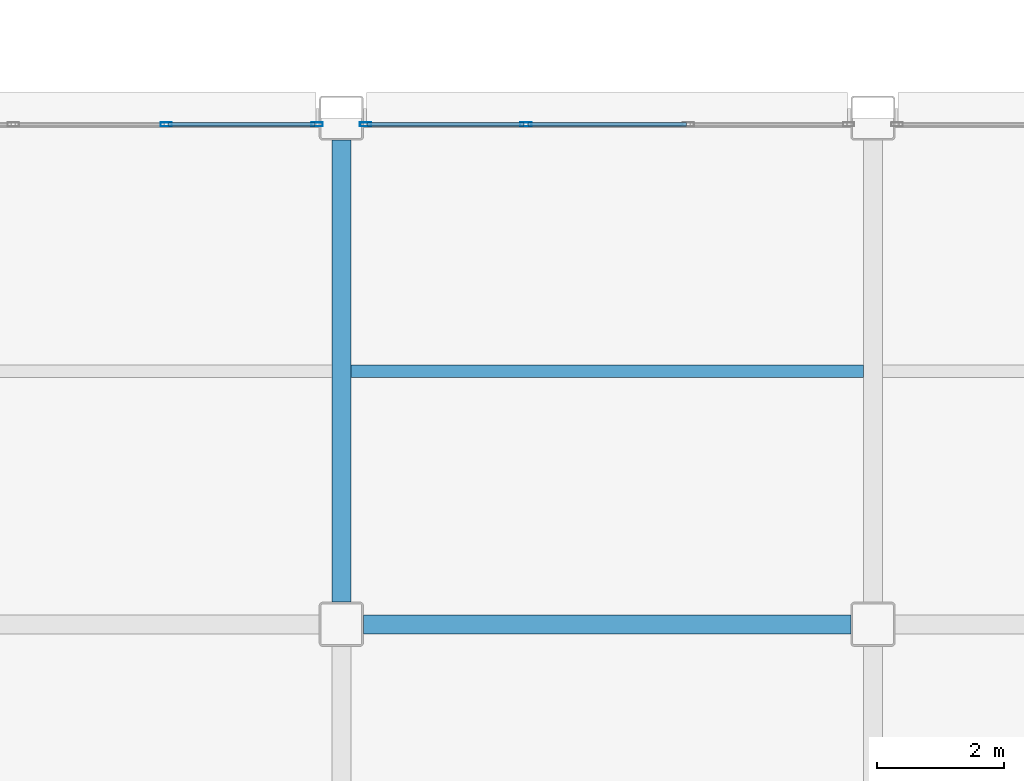
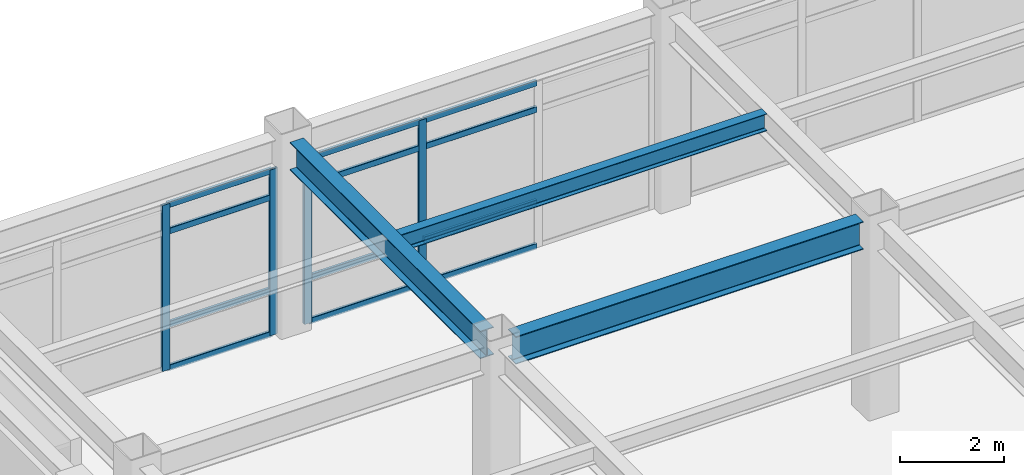
# One storey, part 49 of 154: 16 members, 3 beams, 2 elements without a shape of their own.
"""IFC4 building model written with IfcOpenShell, lengths in metres."""

import ifcopenshell
import ifcopenshell.guid

model = None  # the IFC model being written
_history = None  # IfcOwnerHistory: only IFC2X3 demands one
_inside = {}  # id of a spatial element -> (the spatial element, [elements in it])
_under = {}  # id of a project, library or spatial element -> (it, [spatial elements below it])
_declared = {}  # id of a project -> (the project, [libraries it declares])
_typed = {}  # id of a type object -> (the type object, [elements of that type])
_made_of = {}  # id of a material, layer set ... -> (it, [elements and type objects made of it])


def new_model(schema):
    """Start an empty IFC model of exactly this schema.

    Asked for "IFC4X3", IfcOpenShell would pick the latest addendum, in which some entities
    have other attributes; the version numbers below select the first issue.
    IFC2X3 requires an IfcOwnerHistory on every rooted entity: one is made here for all.
    """
    global model, _history
    if schema == "IFC4X3":
        model = ifcopenshell.file(schema_version=(4, 3, 0, 0))
    else:
        model = ifcopenshell.file(schema=schema)
    _inside.clear()
    _under.clear()
    _declared.clear()
    _typed.clear()
    _made_of.clear()
    _history = None
    if model.schema == "IFC2X3":
        org = make("IfcOrganization", Name="unknown")
        user = make(
            "IfcPersonAndOrganization",
            ThePerson=make("IfcPerson", FamilyName="unknown"),
            TheOrganization=org,
        )
        app = make(
            "IfcApplication",
            ApplicationDeveloper=org,
            Version="unknown",
            ApplicationFullName="unknown",
            ApplicationIdentifier="unknown",
        )
        _history = make(
            "IfcOwnerHistory",
            OwningUser=user,
            OwningApplication=app,
            ChangeAction="ADDED",
            CreationDate=0,
        )
    return model


def make(cls, **values):
    """One entity of the class cls with the attributes given. An attribute that is None is left unset."""
    return model.create_entity(
        cls, **{name: value for name, value in values.items() if value is not None}
    )


def rooted(cls, **values):
    """An entity with a GlobalId (a new one), such as an element, a storey or a relation."""
    return make(cls, GlobalId=ifcopenshell.guid.new(), OwnerHistory=_history, **values)


def si_unit(unit_type, name, prefix=None):
    """IfcSIUnit, for example si_unit("LENGTHUNIT", "METRE", prefix="MILLI")."""
    return make("IfcSIUnit", UnitType=unit_type, Prefix=prefix, Name=name)


def assignment(units):
    """IfcUnitAssignment: the units of a project."""
    return None if units is None else make("IfcUnitAssignment", Units=units)


def point(xyz):
    """IfcCartesianPoint."""
    return None if xyz is None else make("IfcCartesianPoint", Coordinates=xyz)


def direction(xyz):
    """IfcDirection."""
    return None if xyz is None else make("IfcDirection", DirectionRatios=xyz)


def frame(location, z_axis=None, x_axis=None):
    """IfcAxis2Placement3D, a coordinate frame: its origin and axes. An axis left out is left unset."""
    return make(
        "IfcAxis2Placement3D",
        Location=point(location),
        Axis=direction(z_axis),
        RefDirection=direction(x_axis),
    )


def frame_2d(location, x_axis=None):
    """IfcAxis2Placement2D, a coordinate frame in the plane: its origin and x axis."""
    return make(
        "IfcAxis2Placement2D", Location=point(location), RefDirection=direction(x_axis)
    )


def origin():
    """The frame at (0, 0, 0) with its axes left unset."""
    return frame((0.0, 0.0, 0.0))


def origin_2d():
    """The frame at (0, 0) in the plane with its x axis left unset."""
    return frame_2d((0.0, 0.0))


def place(relative_to, where):
    """IfcLocalPlacement: puts the frame where relative to a parent placement (None: the world)."""
    return make(
        "IfcLocalPlacement", PlacementRelTo=relative_to, RelativePlacement=where
    )


def context(
    kind, dimensions, precision=None, world=None, true_north=None, identifier=None
):
    """IfcGeometricRepresentationContext, for example the 3D "Model" context."""
    return make(
        "IfcGeometricRepresentationContext",
        ContextIdentifier=identifier,
        ContextType=kind,
        CoordinateSpaceDimension=dimensions,
        Precision=precision,
        WorldCoordinateSystem=world,
        TrueNorth=true_north,
    )


def subcontext(parent, identifier, kind, view, scale=None):
    """IfcGeometricRepresentationSubContext, for example "Body" below "Model"."""
    return make(
        "IfcGeometricRepresentationSubContext",
        ContextIdentifier=identifier,
        ContextType=kind,
        ParentContext=parent,
        TargetScale=scale,
        TargetView=view,
    )


def project(units=None, contexts=None):
    """IfcProject with its units and contexts."""
    return rooted(
        "IfcProject",
        Name="project",
        RepresentationContexts=contexts,
        UnitsInContext=assignment(units),
    )


def spatial(cls, under=None, at=None, **own):
    """A site, building, storey or space (cls), placed at a placement, below another one or the project."""
    s = rooted(cls, ObjectPlacement=at, **own)
    if under is not None:
        _under.setdefault(under.id(), (under, []))[1].append(s)
    return s


def profile(cls, at=None, kind="AREA", **sizes):
    """A parametric profile (cls). Its sizes go by their IFC names, for example OverallWidth=200.0."""
    return make(cls, ProfileType=kind, Position=at, **sizes)


def hollow_rectangle(**sizes):
    """IfcRectangleHollowProfileDef."""
    return profile("IfcRectangleHollowProfileDef", **sizes)


def i_section(**sizes):
    """IfcIShapeProfileDef."""
    return profile("IfcIShapeProfileDef", **sizes)


def extrude(swept, where, along, depth):
    """IfcExtrudedAreaSolid: the profile swept, set in the frame where, extruded along a direction by depth."""
    return make(
        "IfcExtrudedAreaSolid",
        SweptArea=swept,
        Position=where,
        ExtrudedDirection=direction(along),
        Depth=depth,
    )


def shape(context_of_items, identifier, shape_type, items):
    """IfcShapeRepresentation: the items that make up one representation, for example the "Body"."""
    return make(
        "IfcShapeRepresentation",
        ContextOfItems=context_of_items,
        RepresentationIdentifier=identifier,
        RepresentationType=shape_type,
        Items=items,
    )


def material(Name=None, Category=None):
    """IfcMaterial."""
    return make("IfcMaterial", Name=Name, Category=Category)


def layer(
    of_material, thickness, ventilated=None, Name=None, Category=None, Priority=None
):
    """IfcMaterialLayer: one layer of a wall or slab, of a material (None: an air gap)."""
    return make(
        "IfcMaterialLayer",
        Material=of_material,
        LayerThickness=thickness,
        IsVentilated=ventilated,
        Name=Name,
        Category=Category,
        Priority=Priority,
    )


def layer_set(layers, Name=None):
    """IfcMaterialLayerSet."""
    return make("IfcMaterialLayerSet", MaterialLayers=layers, LayerSetName=Name)


def material_profile(
    of_material, cross_section, Name=None, Category=None, Priority=None
):
    """IfcMaterialProfile: a cross section and its material."""
    return make(
        "IfcMaterialProfile",
        Name=Name,
        Material=of_material,
        Profile=cross_section,
        Priority=Priority,
        Category=Category,
    )


def profile_set(profiles, Name=None, composite=None):
    """IfcMaterialProfileSet."""
    return make(
        "IfcMaterialProfileSet",
        Name=Name,
        MaterialProfiles=profiles,
        CompositeProfile=composite,
    )


def made_of(thing, what):
    """Note that an element or type object is made of a material, layer set ...; save() writes the relation."""
    if what is not None:
        _made_of.setdefault(what.id(), (what, []))[1].append(thing)
    return thing


def type_object(cls, material=None, **own):
    """A type object (cls), such as IfcWallType, which elements share."""
    return made_of(rooted(cls, **own), material)


def element(
    cls,
    number,
    at=None,
    inside=None,
    cuts=None,
    type_object=None,
    material=None,
    context=None,
    identifier="Body",
    shape_type=None,
    held_by="IfcProductDefinitionShape",
    body=None,
    shapes=None,
    **own,
):
    """One element of the class cls, such as IfcWall. Its Tag is "e" and its number.

    at: its placement. inside: the storey or other place that contains it. cuts: it is an
    opening in that element (IfcRelVoidsElement). A single representation is given by context,
    identifier, shape_type and body (its items); several are given by shapes. held_by: the class
    of the entity that holds the representations. save() writes the other relations.
    """
    e = rooted(cls, Tag="e%d" % number, ObjectPlacement=at, **own)
    if body is not None:
        shapes = [shape(context, identifier, shape_type, body)]
    if shapes is not None:
        e.Representation = make(held_by, Representations=shapes)
    if inside is not None:
        _inside.setdefault(inside.id(), (inside, []))[1].append(e)
    if cuts is not None:
        rooted(
            "IfcRelVoidsElement", RelatingBuildingElement=cuts, RelatedOpeningElement=e
        )
    if type_object is not None:
        _typed.setdefault(type_object.id(), (type_object, []))[1].append(e)
    return made_of(e, material)


def aggregate(whole, parts):
    """IfcRelAggregates: a whole, such as a stair, and the parts it consists of."""
    return rooted("IfcRelAggregates", RelatingObject=whole, RelatedObjects=parts)


def save(model, path):
    """Write the relations noted so far, then the file.

    IfcRelAggregates (storeys below a building ...), IfcRelContainedInSpatialStructure (elements
    in a storey), IfcRelDefinesByType, IfcRelAssociatesMaterial and IfcRelDeclares: one each for
    every whole, place, type object, material and project.
    """
    for whole, parts in _under.values():
        aggregate(whole, parts)
    for where, things in _inside.values():
        rooted(
            "IfcRelContainedInSpatialStructure",
            RelatedElements=things,
            RelatingStructure=where,
        )
    for kind, things in _typed.values():
        rooted("IfcRelDefinesByType", RelatedObjects=things, RelatingType=kind)
    for what, things in _made_of.values():
        rooted("IfcRelAssociatesMaterial", RelatedObjects=things, RelatingMaterial=what)
    for by, libraries in _declared.values():
        rooted("IfcRelDeclares", RelatingContext=by, RelatedDefinitions=libraries)
    model.write(path)


model = new_model("IFC4")

# Units and contexts
model_context = context("Model", 3, precision=1e-05, world=origin(), true_north=direction((0.0, 1.0)))
body_context = subcontext(model_context, "Body", "Model", "MODEL_VIEW")
ifc_project = project(units=[si_unit("LENGTHUNIT", "METRE"), si_unit("AREAUNIT", "SQUARE_METRE"), si_unit("VOLUMEUNIT", "CUBIC_METRE"), si_unit("PLANEANGLEUNIT", "RADIAN"), si_unit("MASSUNIT", "GRAM", prefix="KILO")], contexts=[model_context])

# Site, building, storey
site_placement = place(None, origin())
site = spatial("IfcSite", under=ifc_project, at=site_placement, CompositionType="ELEMENT")
building_placement = place(site_placement, origin())
building = spatial("IfcBuilding", under=site, at=building_placement, Name="Kazehara Bluff Congress Hotel", CompositionType="ELEMENT")
storey_placement = place(building_placement, frame((0.0, 0.0, 10.199951171875)))
storey = spatial("IfcBuildingStorey", under=building, at=storey_placement, Name="L02", CompositionType="ELEMENT", Elevation=10.199951171875)

# Curtain wall, members
ifc_material_1 = material(Name="Anodised aluminium", Category="aluminium")
ifc_layer_1 = layer(ifc_material_1, 0.159912109375)
ifc_layer_set_1 = layer_set([ifc_layer_1], Name="Anodised aluminium")
curtain_wall_type_1 = type_object("IfcCurtainWallType", Name="TP-CW-78", PredefinedType="NOTDEFINED", material=ifc_layer_set_1)
curtain_wall_1_placement = place(storey_placement, origin())
curtain_wall_1 = element("IfcCurtainWall", 1, at=curtain_wall_1_placement, inside=storey, type_object=curtain_wall_type_1, Name="L02 curtain wall CW-78 CW-ENC-V5-L02-11452-3190", PredefinedType="NOTDEFINED")
ifc_material_2 = material(Name="Anodised aluminium", Category="aluminium")
ifc_material_profile_1 = material_profile(ifc_material_2, hollow_rectangle(XDim=0.06494140625, YDim=0.179931640625, WallThickness=0.00390625, InnerFilletRadius=0.00390625, OuterFilletRadius=0.008056640625, at=origin_2d()))
ifc_profile_set_1 = profile_set([ifc_material_profile_1], Name="Anodised aluminium")
member_type_1 = type_object("IfcMemberType", Name="TP-CWM-02", PredefinedType="MULLION", material=ifc_profile_set_1)
member_1_placement = place(storey_placement, frame((115.7333984375, 31.89990234375, 0.0), z_axis=(0.0, 0.0, 1.0), x_axis=(0.0, 1.0, 0.0)))
member_1 = element("IfcMember", 2, at=member_1_placement, type_object=member_type_1, Name="CW-78 mullion 3", PredefinedType="MULLION", context=body_context, shape_type="SweptSolid", body=[
    extrude(hollow_rectangle(XDim=0.06494140625, YDim=0.179931640625, WallThickness=0.00390625, InnerFilletRadius=0.00390625, OuterFilletRadius=0.008056640625, at=origin_2d()), origin(), (0.0, 0.0, 1.0), 3.885009765625),
])
member_2_placement = place(storey_placement, frame((118.117431640625, 31.89990234375, 0.0), z_axis=(0.0, 0.0, 1.0), x_axis=(0.0, 1.0, 0.0)))
member_2 = element("IfcMember", 3, at=member_2_placement, type_object=member_type_1, Name="CW-78 mullion 4", PredefinedType="MULLION", context=body_context, shape_type="SweptSolid", body=[
    extrude(hollow_rectangle(XDim=0.06494140625, YDim=0.179931640625, WallThickness=0.00390625, InnerFilletRadius=0.00390625, OuterFilletRadius=0.008056640625, at=origin_2d()), origin(), (0.0, 0.0, 1.0), 3.885009765625),
])

ifc_material_3 = material(Name="Anodised aluminium", Category="aluminium")
ifc_layer_2 = layer(ifc_material_3, 0.159912109375)
ifc_layer_set_2 = layer_set([ifc_layer_2], Name="Anodised aluminium")
curtain_wall_type_2 = type_object("IfcCurtainWallType", Name="TP-CW-79", PredefinedType="NOTDEFINED", material=ifc_layer_set_2)
curtain_wall_2_placement = place(storey_placement, origin())
curtain_wall_2 = element("IfcCurtainWall", 4, at=curtain_wall_2_placement, inside=storey, type_object=curtain_wall_type_2, Name="L02 curtain wall CW-79 CW-ENC-V5-L02-12270-3190", PredefinedType="NOTDEFINED")
member_3_placement = place(storey_placement, frame((118.882568359375, 31.89990234375, 0.0), z_axis=(0.0, 0.0, 1.0), x_axis=(0.0, 1.0, 0.0)))
member_3 = element("IfcMember", 5, at=member_3_placement, type_object=member_type_1, Name="CW-79 mullion 1", PredefinedType="MULLION", context=body_context, shape_type="SweptSolid", body=[
    extrude(hollow_rectangle(XDim=0.06494140625, YDim=0.179931640625, WallThickness=0.00390625, InnerFilletRadius=0.00390625, OuterFilletRadius=0.008056640625, at=origin_2d()), origin(), (0.0, 0.0, 1.0), 3.885009765625),
])
member_4_placement = place(storey_placement, frame((121.416748046875, 31.89990234375, 0.0), z_axis=(0.0, 0.0, 1.0), x_axis=(0.0, 1.0, 0.0)))
member_4 = element("IfcMember", 6, at=member_4_placement, type_object=member_type_1, Name="CW-79 mullion 2", PredefinedType="MULLION", context=body_context, shape_type="SweptSolid", body=[
    extrude(hollow_rectangle(XDim=0.06494140625, YDim=0.179931640625, WallThickness=0.00390625, InnerFilletRadius=0.00390625, OuterFilletRadius=0.008056640625, at=origin_2d()), origin(), (0.0, 0.0, 1.0), 3.885009765625),
])

# Member
ifc_material_4 = material(Name="Anodised aluminium", Category="aluminium")
ifc_material_profile_2 = material_profile(ifc_material_4, hollow_rectangle(XDim=0.06494140625, YDim=0.139892578125, WallThickness=0.00390625, InnerFilletRadius=0.00390625, OuterFilletRadius=0.008056640625, at=origin_2d()))
ifc_profile_set_2 = profile_set([ifc_material_profile_2], Name="Anodised aluminium")
member_type_2 = type_object("IfcMemberType", Name="TP-CWT-02", PredefinedType="USERDEFINED", material=ifc_profile_set_2)
member_5_placement = place(storey_placement, frame((115.765869140625, 31.89990234375, 0.032470703125), z_axis=(1.0, 0.0, 0.0), x_axis=(0.0, 1.0, 0.0)))
member_5 = element("IfcMember", 7, at=member_5_placement, type_object=member_type_2, Name="CW-78 transom 3.1", ObjectType="TRANSOM", PredefinedType="USERDEFINED", context=body_context, shape_type="SweptSolid", body=[
    extrude(hollow_rectangle(XDim=0.06494140625, YDim=0.139892578125, WallThickness=0.00390625, InnerFilletRadius=0.00390625, OuterFilletRadius=0.008056640625, at=origin_2d()), origin(), (0.0, 0.0, 1.0), 2.319091796875),
])

member_6_placement = place(storey_placement, frame((115.765869140625, 31.89990234375, 1.050048828125), z_axis=(1.0, 0.0, 0.0), x_axis=(0.0, 1.0, 0.0)))
member_6 = element("IfcMember", 8, at=member_6_placement, type_object=member_type_2, Name="CW-78 transom 3.2", ObjectType="TRANSOM", PredefinedType="USERDEFINED", context=body_context, shape_type="SweptSolid", body=[
    extrude(hollow_rectangle(XDim=0.06494140625, YDim=0.139892578125, WallThickness=0.00390625, InnerFilletRadius=0.00390625, OuterFilletRadius=0.008056640625, at=origin_2d()), origin(), (0.0, 0.0, 1.0), 2.319091796875),
])

member_7_placement = place(storey_placement, frame((115.765869140625, 31.89990234375, 3.235107421875), z_axis=(1.0, 0.0, 0.0), x_axis=(0.0, 1.0, 0.0)))
member_7 = element("IfcMember", 9, at=member_7_placement, type_object=member_type_2, Name="CW-78 transom 3.3", ObjectType="TRANSOM", PredefinedType="USERDEFINED", context=body_context, shape_type="SweptSolid", body=[
    extrude(hollow_rectangle(XDim=0.06494140625, YDim=0.139892578125, WallThickness=0.00390625, InnerFilletRadius=0.00390625, OuterFilletRadius=0.008056640625, at=origin_2d()), origin(), (0.0, 0.0, 1.0), 2.319091796875),
])

member_8_placement = place(storey_placement, frame((115.765869140625, 31.89990234375, 3.8525390625), z_axis=(1.0, 0.0, 0.0), x_axis=(0.0, 1.0, 0.0)))
member_8 = element("IfcMember", 10, at=member_8_placement, type_object=member_type_2, Name="CW-78 transom 3.4", ObjectType="TRANSOM", PredefinedType="USERDEFINED", context=body_context, shape_type="SweptSolid", body=[
    extrude(hollow_rectangle(XDim=0.06494140625, YDim=0.139892578125, WallThickness=0.00390625, InnerFilletRadius=0.00390625, OuterFilletRadius=0.008056640625, at=origin_2d()), origin(), (0.0, 0.0, 1.0), 2.319091796875),
])

aggregate(curtain_wall_1, [member_1, member_2, member_5, member_6, member_7, member_8])

member_9_placement = place(storey_placement, frame((118.9150390625, 31.89990234375, 0.032470703125), z_axis=(1.0, 0.0, 0.0), x_axis=(0.0, 1.0, 0.0)))
member_9 = element("IfcMember", 11, at=member_9_placement, type_object=member_type_2, Name="CW-79 transom 1.1", ObjectType="TRANSOM", PredefinedType="USERDEFINED", context=body_context, shape_type="SweptSolid", body=[
    extrude(hollow_rectangle(XDim=0.06494140625, YDim=0.139892578125, WallThickness=0.00390625, InnerFilletRadius=0.00390625, OuterFilletRadius=0.008056640625, at=origin_2d()), origin(), (0.0, 0.0, 1.0), 2.46923828125),
])

member_10_placement = place(storey_placement, frame((118.9150390625, 31.89990234375, 1.050048828125), z_axis=(1.0, 0.0, 0.0), x_axis=(0.0, 1.0, 0.0)))
member_10 = element("IfcMember", 12, at=member_10_placement, type_object=member_type_2, Name="CW-79 transom 1.2", ObjectType="TRANSOM", PredefinedType="USERDEFINED", context=body_context, shape_type="SweptSolid", body=[
    extrude(hollow_rectangle(XDim=0.06494140625, YDim=0.139892578125, WallThickness=0.00390625, InnerFilletRadius=0.00390625, OuterFilletRadius=0.008056640625, at=origin_2d()), origin(), (0.0, 0.0, 1.0), 2.46923828125),
])

member_11_placement = place(storey_placement, frame((118.9150390625, 31.89990234375, 3.235107421875), z_axis=(1.0, 0.0, 0.0), x_axis=(0.0, 1.0, 0.0)))
member_11 = element("IfcMember", 13, at=member_11_placement, type_object=member_type_2, Name="CW-79 transom 1.3", ObjectType="TRANSOM", PredefinedType="USERDEFINED", context=body_context, shape_type="SweptSolid", body=[
    extrude(hollow_rectangle(XDim=0.06494140625, YDim=0.139892578125, WallThickness=0.00390625, InnerFilletRadius=0.00390625, OuterFilletRadius=0.008056640625, at=origin_2d()), origin(), (0.0, 0.0, 1.0), 2.46923828125),
])

member_12_placement = place(storey_placement, frame((118.9150390625, 31.89990234375, 3.8525390625), z_axis=(1.0, 0.0, 0.0), x_axis=(0.0, 1.0, 0.0)))
member_12 = element("IfcMember", 14, at=member_12_placement, type_object=member_type_2, Name="CW-79 transom 1.4", ObjectType="TRANSOM", PredefinedType="USERDEFINED", context=body_context, shape_type="SweptSolid", body=[
    extrude(hollow_rectangle(XDim=0.06494140625, YDim=0.139892578125, WallThickness=0.00390625, InnerFilletRadius=0.00390625, OuterFilletRadius=0.008056640625, at=origin_2d()), origin(), (0.0, 0.0, 1.0), 2.46923828125),
])

member_13_placement = place(storey_placement, frame((121.44921875, 31.89990234375, 0.032470703125), z_axis=(1.0, 0.0, 0.0), x_axis=(0.0, 1.0, 0.0)))
member_13 = element("IfcMember", 15, at=member_13_placement, type_object=member_type_2, Name="CW-79 transom 2.1", ObjectType="TRANSOM", PredefinedType="USERDEFINED", context=body_context, shape_type="SweptSolid", body=[
    extrude(hollow_rectangle(XDim=0.06494140625, YDim=0.139892578125, WallThickness=0.00390625, InnerFilletRadius=0.00390625, OuterFilletRadius=0.008056640625, at=origin_2d()), origin(), (0.0, 0.0, 1.0), 2.501708984375),
])

member_14_placement = place(storey_placement, frame((121.44921875, 31.89990234375, 1.050048828125), z_axis=(1.0, 0.0, 0.0), x_axis=(0.0, 1.0, 0.0)))
member_14 = element("IfcMember", 16, at=member_14_placement, type_object=member_type_2, Name="CW-79 transom 2.2", ObjectType="TRANSOM", PredefinedType="USERDEFINED", context=body_context, shape_type="SweptSolid", body=[
    extrude(hollow_rectangle(XDim=0.06494140625, YDim=0.139892578125, WallThickness=0.00390625, InnerFilletRadius=0.00390625, OuterFilletRadius=0.008056640625, at=origin_2d()), origin(), (0.0, 0.0, 1.0), 2.501708984375),
])

member_15_placement = place(storey_placement, frame((121.44921875, 31.89990234375, 3.235107421875), z_axis=(1.0, 0.0, 0.0), x_axis=(0.0, 1.0, 0.0)))
member_15 = element("IfcMember", 17, at=member_15_placement, type_object=member_type_2, Name="CW-79 transom 2.3", ObjectType="TRANSOM", PredefinedType="USERDEFINED", context=body_context, shape_type="SweptSolid", body=[
    extrude(hollow_rectangle(XDim=0.06494140625, YDim=0.139892578125, WallThickness=0.00390625, InnerFilletRadius=0.00390625, OuterFilletRadius=0.008056640625, at=origin_2d()), origin(), (0.0, 0.0, 1.0), 2.501708984375),
])

member_16_placement = place(storey_placement, frame((121.44921875, 31.89990234375, 3.8525390625), z_axis=(1.0, 0.0, 0.0), x_axis=(0.0, 1.0, 0.0)))
member_16 = element("IfcMember", 18, at=member_16_placement, type_object=member_type_2, Name="CW-79 transom 2.4", ObjectType="TRANSOM", PredefinedType="USERDEFINED", context=body_context, shape_type="SweptSolid", body=[
    extrude(hollow_rectangle(XDim=0.06494140625, YDim=0.139892578125, WallThickness=0.00390625, InnerFilletRadius=0.00390625, OuterFilletRadius=0.008056640625, at=origin_2d()), origin(), (0.0, 0.0, 1.0), 2.501708984375),
])

aggregate(curtain_wall_2, [member_3, member_4, member_9, member_10, member_11, member_12, member_13, member_14, member_15, member_16])

# Beams
ifc_material_5 = material(Name="Steel SN490B", Category="steel")
ifc_material_profile_3 = material_profile(ifc_material_5, i_section(OverallWidth=0.300048828125, OverallDepth=0.64990234375, WebThickness=0.011962890625, FlangeThickness=0.02001953125, FilletRadius=0.012939453125, at=origin_2d()))
ifc_profile_set_3 = profile_set([ifc_material_profile_3], Name="Steel SN490B")
beam_type_1 = type_object("IfcBeamType", Name="TP-G-03", PredefinedType="BEAM", material=ifc_profile_set_3)
beam_1_placement = place(storey_placement, frame((118.5, 24.35009765625, 4.235107421875), z_axis=(0.0, 1.0, 0.0), x_axis=(-1.0, 0.0, 0.0)))
element("IfcBeam", 19, at=beam_1_placement, inside=storey, type_object=beam_type_1, Name="L02 girder G-03 133", PredefinedType="BEAM", context=body_context, shape_type="SweptSolid", body=[
    extrude(i_section(OverallWidth=0.300048828125, OverallDepth=0.64990234375, WebThickness=0.011962890625, FlangeThickness=0.02001953125, FilletRadius=0.012939453125, at=origin_2d()), origin(), (0.0, 0.0, 1.0), 7.2998046875),
])
beam_2_placement = place(storey_placement, frame((118.85009765625, 24.0, 4.235107421875), z_axis=(1.0, 0.0, 0.0), x_axis=(0.0, 1.0, 0.0)))
element("IfcBeam", 20, at=beam_2_placement, inside=storey, type_object=beam_type_1, Name="L02 girder G-03 194", PredefinedType="BEAM", context=body_context, shape_type="SweptSolid", body=[
    extrude(i_section(OverallWidth=0.300048828125, OverallDepth=0.64990234375, WebThickness=0.011962890625, FlangeThickness=0.02001953125, FilletRadius=0.012939453125, at=origin_2d()), origin(), (0.0, 0.0, 1.0), 7.699951171875),
])
ifc_material_6 = material(Name="Steel SN400B", Category="steel")
ifc_material_profile_4 = material_profile(ifc_material_6, i_section(OverallWidth=0.199951171875, OverallDepth=0.39990234375, WebThickness=0.008056640625, FlangeThickness=0.012939453125, FilletRadius=0.012939453125, at=origin_2d()))
ifc_profile_set_4 = profile_set([ifc_material_profile_4], Name="Steel SN400B")
beam_type_2 = type_object("IfcBeamType", Name="TP-J-03", PredefinedType="JOIST", material=ifc_profile_set_4)
beam_3_placement = place(storey_placement, frame((118.64990234375, 28.0, 4.360107421875), z_axis=(1.0, 0.0, 0.0), x_axis=(0.0, 1.0, 0.0)))
element("IfcBeam", 21, at=beam_3_placement, inside=storey, type_object=beam_type_2, Name="L02 secondary joist J-03 30", PredefinedType="JOIST", context=body_context, shape_type="SweptSolid", body=[
    extrude(i_section(OverallWidth=0.199951171875, OverallDepth=0.39990234375, WebThickness=0.008056640625, FlangeThickness=0.012939453125, FilletRadius=0.012939453125, at=origin_2d()), origin(), (0.0, 0.0, 1.0), 8.10009765625),
])

save(model, "model.ifc")
